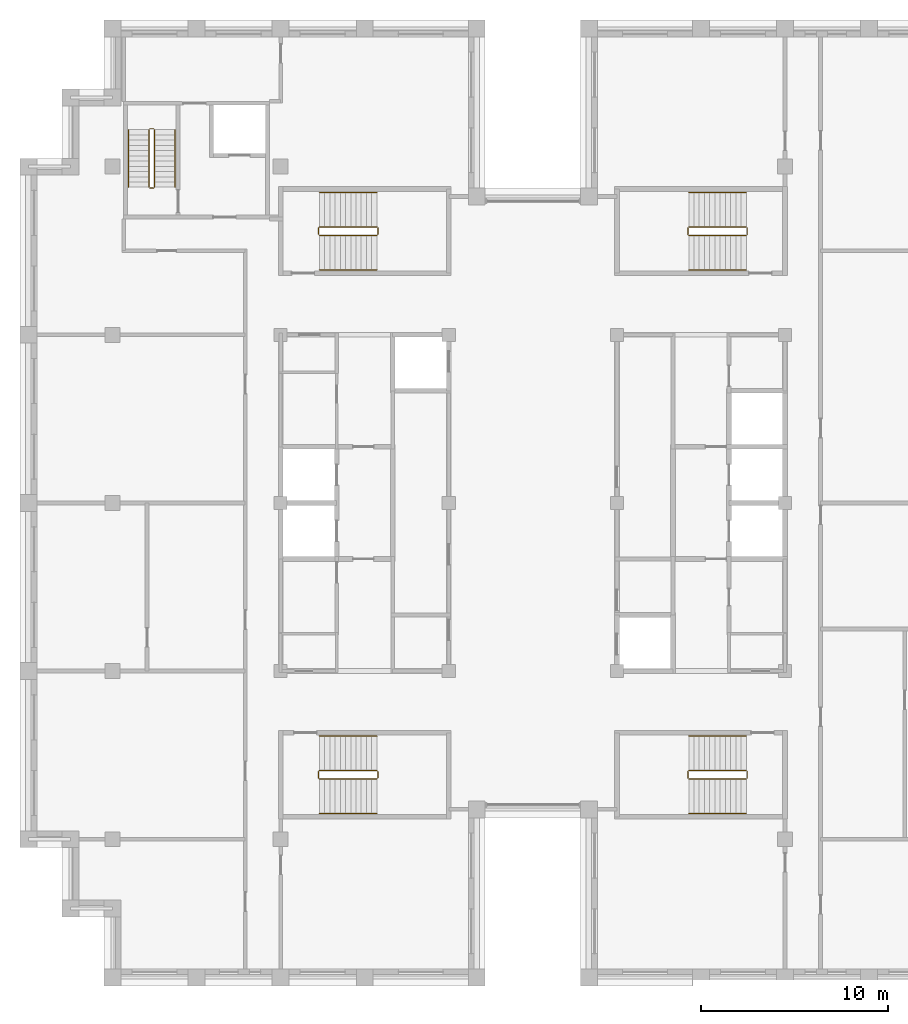
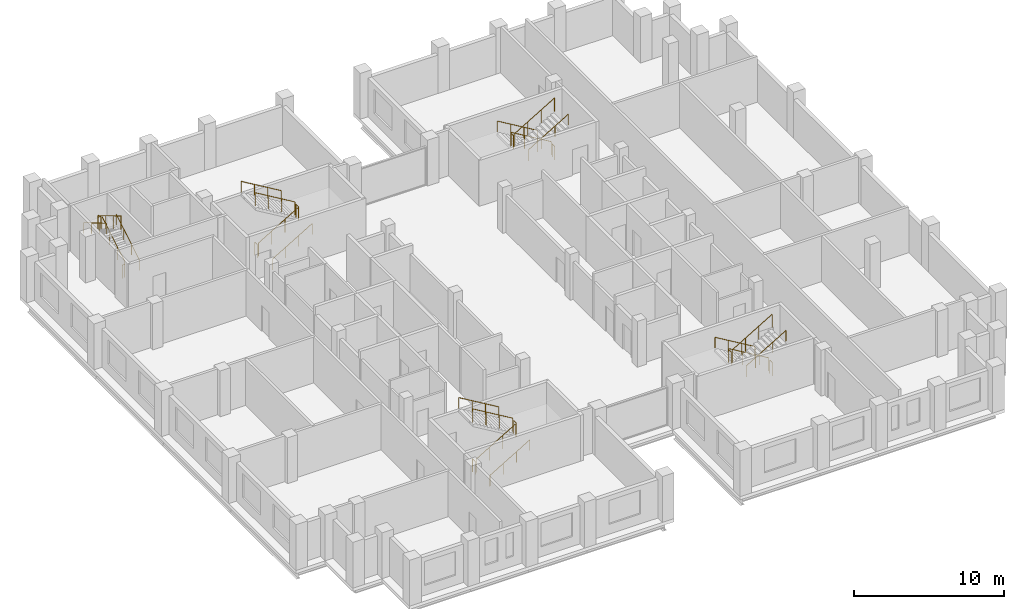
# One storey, part 13 of 13: 5 railings.
"""IFC4 building model written with IfcOpenShell, lengths in metres."""

from ifc_helpers import new_model, si_unit, direction, frame, origin, origin_2d, place, context, subcontext, project, spatial, circle, extrude, material, type_object, element, save


model = new_model("IFC4")

# Units and contexts
model_context = context("Model", 3, precision=1e-05, world=origin(), true_north=direction((0.0, 1.0)))
body_context = subcontext(model_context, "Body", "Model", "MODEL_VIEW")
ifc_project = project(units=[si_unit("LENGTHUNIT", "METRE"), si_unit("AREAUNIT", "SQUARE_METRE"), si_unit("VOLUMEUNIT", "CUBIC_METRE"), si_unit("PLANEANGLEUNIT", "RADIAN"), si_unit("MASSUNIT", "GRAM", prefix="KILO")], contexts=[model_context])

# Site, building, storey
site_placement = place(None, origin())
site = spatial("IfcSite", under=ifc_project, at=site_placement, CompositionType="ELEMENT")
building_placement = place(site_placement, origin())
building = spatial("IfcBuilding", under=site, at=building_placement, Name="Corbelhall Arena Tower", CompositionType="ELEMENT")
storey_placement = place(building_placement, frame((0.0, 0.0, 330.0)))
storey = spatial("IfcBuildingStorey", under=building, at=storey_placement, Name="L72", CompositionType="ELEMENT", Elevation=330.0)

# Railings
ifc_material = material(Name="Steel ASTM A500 Gr C", Category="steel")
railing_type = type_object("IfcRailingType", Name="IN-GD-1100", PredefinedType="GUARDRAIL", material=ifc_material)
railing_1_placement = place(storey_placement, frame((-11.425048828125, 14.324951171875, 0.166748046875)))
element("IfcRailing", 1, at=railing_1_placement, inside=storey, type_object=railing_type, Name="L72 ST1 stair guards and handrails", PredefinedType="GUARDRAIL", context=body_context, shape_type="SweptSolid", body=[
    extrude(circle(Radius=0.02392578125, at=origin_2d()), frame((0.0, 0.0, 1.076171875), z_axis=(0.859308565015, 0.0, 0.511457515432), x_axis=(0.0, 1.0, 0.0)), (0.0, 0.0, 1.0), 3.58447265625),
    extrude(circle(Radius=0.02392578125, at=origin_2d()), frame((3.130126953125, 0.050048828125, 2.9091796875), z_axis=(0.0, 1.0, 0.0), x_axis=(-1.0, 0.0, 0.0)), (0.0, 0.0, 1.0), 0.35009765625),
    extrude(circle(Radius=0.02392578125, at=origin_2d()), frame((3.080078125, 0.449951171875, 3.076171875), z_axis=(-0.859308565015, 0.0, 0.511457515432), x_axis=(0.0, -1.0, 0.0)), (0.0, 0.0, 1.0), 3.58447265625),
    extrude(circle(Radius=0.02392578125, at=origin_2d()), frame((-0.050048828125, 0.050048828125, 0.9091796875), z_axis=(0.0, 1.0, 0.0), x_axis=(-1.0, 0.0, 0.0)), (0.0, 0.0, 1.0), 0.35009765625),
    extrude(circle(Radius=0.02392578125, at=origin_2d()), frame((0.0, -1.849853515625, 0.8759765625), z_axis=(0.859308565015, 0.0, 0.511457515432), x_axis=(0.0, 1.0, 0.0)), (0.0, 0.0, 1.0), 3.58447265625),
    extrude(circle(Radius=0.02392578125, at=origin_2d()), frame((3.080078125, 2.300048828125, 2.8759765625), z_axis=(-0.859308565015, 0.0, 0.511457515432), x_axis=(0.0, -1.0, 0.0)), (0.0, 0.0, 1.0), 3.58447265625),
    extrude(circle(Radius=0.02099609375, at=origin_2d()), origin(), (0.0, 0.0, 1.0), 1.052001953125),
    extrude(circle(Radius=0.02099609375, at=origin_2d()), frame((1.026611328125, 0.0, 0.611083984375)), (0.0, 0.0, 1.0), 1.052001953125),
    extrude(circle(Radius=0.02099609375, at=origin_2d()), frame((2.053466796875, 0.0, 1.22216796875)), (0.0, 0.0, 1.0), 1.052001953125),
    extrude(circle(Radius=0.02099609375, at=origin_2d()), frame((3.080078125, 0.0, 1.833251953125)), (0.0, 0.0, 1.0), 1.052001953125),
    extrude(circle(Radius=0.02099609375, at=origin_2d()), frame((3.130126953125, 0.050048828125, 1.833251953125)), (0.0, 0.0, 1.0), 1.052001953125),
    extrude(circle(Radius=0.02099609375, at=origin_2d()), frame((3.130126953125, 0.400146484375, 1.833251953125)), (0.0, 0.0, 1.0), 1.052001953125),
    extrude(circle(Radius=0.02099609375, at=origin_2d()), frame((3.080078125, 0.449951171875, 2.0)), (0.0, 0.0, 1.0), 1.052001953125),
    extrude(circle(Radius=0.02099609375, at=origin_2d()), frame((2.053466796875, 0.449951171875, 2.611083984375)), (0.0, 0.0, 1.0), 1.052001953125),
    extrude(circle(Radius=0.02099609375, at=origin_2d()), frame((1.026611328125, 0.449951171875, 3.22216796875)), (0.0, 0.0, 1.0), 1.052001953125),
    extrude(circle(Radius=0.02099609375, at=origin_2d()), frame((0.0, 0.449951171875, 3.833251953125)), (0.0, 0.0, 1.0), 1.052001953125),
    extrude(circle(Radius=0.02099609375, at=origin_2d()), frame((-0.050048828125, 0.050048828125, -0.166748046875)), (0.0, 0.0, 1.0), 1.052001953125),
    extrude(circle(Radius=0.02099609375, at=origin_2d()), frame((-0.050048828125, 0.400146484375, -0.166748046875)), (0.0, 0.0, 1.0), 1.052001953125),
    extrude(circle(Radius=0.02099609375, at=origin_2d()), frame((0.0, -1.849853515625, 0.0)), (0.0, 0.0, 1.0), 0.851806640625),
    extrude(circle(Radius=0.02099609375, at=origin_2d()), frame((1.026611328125, -1.849853515625, 0.611083984375)), (0.0, 0.0, 1.0), 0.851806640625),
    extrude(circle(Radius=0.02099609375, at=origin_2d()), frame((2.053466796875, -1.849853515625, 1.22216796875)), (0.0, 0.0, 1.0), 0.851806640625),
    extrude(circle(Radius=0.02099609375, at=origin_2d()), frame((3.080078125, -1.849853515625, 1.833251953125)), (0.0, 0.0, 1.0), 0.851806640625),
    extrude(circle(Radius=0.02099609375, at=origin_2d()), frame((3.080078125, 2.300048828125, 2.0)), (0.0, 0.0, 1.0), 0.851806640625),
    extrude(circle(Radius=0.02099609375, at=origin_2d()), frame((2.053466796875, 2.300048828125, 2.611083984375)), (0.0, 0.0, 1.0), 0.851806640625),
    extrude(circle(Radius=0.02099609375, at=origin_2d()), frame((1.026611328125, 2.300048828125, 3.22216796875)), (0.0, 0.0, 1.0), 0.851806640625),
    extrude(circle(Radius=0.02099609375, at=origin_2d()), frame((0.0, 2.300048828125, 3.833251953125)), (0.0, 0.0, 1.0), 0.851806640625),
])
railing_2_placement = place(storey_placement, frame((-11.425048828125, -14.77490234375, 0.166748046875)))
element("IfcRailing", 2, at=railing_2_placement, inside=storey, type_object=railing_type, Name="L72 ST2 stair guards and handrails", PredefinedType="GUARDRAIL", context=body_context, shape_type="SweptSolid", body=[
    extrude(circle(Radius=0.02392578125, at=origin_2d()), frame((0.0, 0.0, 1.076171875), z_axis=(0.859308565015, 0.0, 0.511457515432), x_axis=(0.0, 1.0, 0.0)), (0.0, 0.0, 1.0), 3.58447265625),
    extrude(circle(Radius=0.02392578125, at=origin_2d()), frame((3.130126953125, 0.0498046875, 2.9091796875), z_axis=(0.0, 1.0, 0.0), x_axis=(-1.0, 0.0, 0.0)), (0.0, 0.0, 1.0), 0.35009765625),
    extrude(circle(Radius=0.02392578125, at=origin_2d()), frame((3.080078125, 0.449951171875, 3.076171875), z_axis=(-0.859308565015, 0.0, 0.511457515432), x_axis=(0.0, -1.0, 0.0)), (0.0, 0.0, 1.0), 3.58447265625),
    extrude(circle(Radius=0.02392578125, at=origin_2d()), frame((-0.050048828125, 0.0498046875, 0.9091796875), z_axis=(0.0, 1.0, 0.0), x_axis=(-1.0, 0.0, 0.0)), (0.0, 0.0, 1.0), 0.35009765625),
    extrude(circle(Radius=0.02392578125, at=origin_2d()), frame((0.0, -1.85009765625, 0.8759765625), z_axis=(0.859308565015, 0.0, 0.511457515432), x_axis=(0.0, 1.0, 0.0)), (0.0, 0.0, 1.0), 3.58447265625),
    extrude(circle(Radius=0.02392578125, at=origin_2d()), frame((3.080078125, 2.2998046875, 2.8759765625), z_axis=(-0.859308565015, 0.0, 0.511457515432), x_axis=(0.0, -1.0, 0.0)), (0.0, 0.0, 1.0), 3.58447265625),
    extrude(circle(Radius=0.02099609375, at=origin_2d()), origin(), (0.0, 0.0, 1.0), 1.052001953125),
    extrude(circle(Radius=0.02099609375, at=origin_2d()), frame((1.026611328125, 0.0, 0.611083984375)), (0.0, 0.0, 1.0), 1.052001953125),
    extrude(circle(Radius=0.02099609375, at=origin_2d()), frame((2.053466796875, 0.0, 1.22216796875)), (0.0, 0.0, 1.0), 1.052001953125),
    extrude(circle(Radius=0.02099609375, at=origin_2d()), frame((3.080078125, 0.0, 1.833251953125)), (0.0, 0.0, 1.0), 1.052001953125),
    extrude(circle(Radius=0.02099609375, at=origin_2d()), frame((3.130126953125, 0.0498046875, 1.833251953125)), (0.0, 0.0, 1.0), 1.052001953125),
    extrude(circle(Radius=0.02099609375, at=origin_2d()), frame((3.130126953125, 0.39990234375, 1.833251953125)), (0.0, 0.0, 1.0), 1.052001953125),
    extrude(circle(Radius=0.02099609375, at=origin_2d()), frame((3.080078125, 0.449951171875, 2.0)), (0.0, 0.0, 1.0), 1.052001953125),
    extrude(circle(Radius=0.02099609375, at=origin_2d()), frame((2.053466796875, 0.449951171875, 2.611083984375)), (0.0, 0.0, 1.0), 1.052001953125),
    extrude(circle(Radius=0.02099609375, at=origin_2d()), frame((1.026611328125, 0.449951171875, 3.22216796875)), (0.0, 0.0, 1.0), 1.052001953125),
    extrude(circle(Radius=0.02099609375, at=origin_2d()), frame((0.0, 0.449951171875, 3.833251953125)), (0.0, 0.0, 1.0), 1.052001953125),
    extrude(circle(Radius=0.02099609375, at=origin_2d()), frame((-0.050048828125, 0.0498046875, -0.166748046875)), (0.0, 0.0, 1.0), 1.052001953125),
    extrude(circle(Radius=0.02099609375, at=origin_2d()), frame((-0.050048828125, 0.39990234375, -0.166748046875)), (0.0, 0.0, 1.0), 1.052001953125),
    extrude(circle(Radius=0.02099609375, at=origin_2d()), frame((0.0, -1.85009765625, 0.0)), (0.0, 0.0, 1.0), 0.851806640625),
    extrude(circle(Radius=0.02099609375, at=origin_2d()), frame((1.026611328125, -1.85009765625, 0.611083984375)), (0.0, 0.0, 1.0), 0.851806640625),
    extrude(circle(Radius=0.02099609375, at=origin_2d()), frame((2.053466796875, -1.85009765625, 1.22216796875)), (0.0, 0.0, 1.0), 0.851806640625),
    extrude(circle(Radius=0.02099609375, at=origin_2d()), frame((3.080078125, -1.85009765625, 1.833251953125)), (0.0, 0.0, 1.0), 0.851806640625),
    extrude(circle(Radius=0.02099609375, at=origin_2d()), frame((3.080078125, 2.2998046875, 2.0)), (0.0, 0.0, 1.0), 0.851806640625),
    extrude(circle(Radius=0.02099609375, at=origin_2d()), frame((2.053466796875, 2.2998046875, 2.611083984375)), (0.0, 0.0, 1.0), 0.851806640625),
    extrude(circle(Radius=0.02099609375, at=origin_2d()), frame((1.026611328125, 2.2998046875, 3.22216796875)), (0.0, 0.0, 1.0), 0.851806640625),
    extrude(circle(Radius=0.02099609375, at=origin_2d()), frame((0.0, 2.2998046875, 3.833251953125)), (0.0, 0.0, 1.0), 0.851806640625),
])
railing_3_placement = place(storey_placement, frame((11.425048828125, 14.77490234375, 0.166748046875)))
element("IfcRailing", 3, at=railing_3_placement, inside=storey, type_object=railing_type, Name="L72 ST3 stair guards and handrails", PredefinedType="GUARDRAIL", context=body_context, shape_type="SweptSolid", body=[
    extrude(circle(Radius=0.02392578125, at=origin_2d()), frame((0.0, 0.0, 1.076171875), z_axis=(-0.859308565015, 0.0, 0.511457515432), x_axis=(0.0, -1.0, 0.0)), (0.0, 0.0, 1.0), 3.58447265625),
    extrude(circle(Radius=0.02392578125, at=origin_2d()), frame((-3.130126953125, -0.0498046875, 2.9091796875), z_axis=(0.0, -1.0, 0.0), x_axis=(1.0, 0.0, 0.0)), (0.0, 0.0, 1.0), 0.35009765625),
    extrude(circle(Radius=0.02392578125, at=origin_2d()), frame((-3.080078125, -0.449951171875, 3.076171875), z_axis=(0.859308565015, 0.0, 0.511457515432), x_axis=(0.0, 1.0, 0.0)), (0.0, 0.0, 1.0), 3.58447265625),
    extrude(circle(Radius=0.02392578125, at=origin_2d()), frame((0.050048828125, -0.0498046875, 0.9091796875), z_axis=(0.0, -1.0, 0.0), x_axis=(1.0, 0.0, 0.0)), (0.0, 0.0, 1.0), 0.35009765625),
    extrude(circle(Radius=0.02392578125, at=origin_2d()), frame((0.0, 1.85009765625, 0.8759765625), z_axis=(-0.859308565015, 0.0, 0.511457515432), x_axis=(0.0, -1.0, 0.0)), (0.0, 0.0, 1.0), 3.58447265625),
    extrude(circle(Radius=0.02392578125, at=origin_2d()), frame((-3.080078125, -2.2998046875, 2.8759765625), z_axis=(0.859308565015, 0.0, 0.511457515432), x_axis=(0.0, 1.0, 0.0)), (0.0, 0.0, 1.0), 3.58447265625),
    extrude(circle(Radius=0.02099609375, at=origin_2d()), origin(), (0.0, 0.0, 1.0), 1.052001953125),
    extrude(circle(Radius=0.02099609375, at=origin_2d()), frame((-1.026611328125, 0.0, 0.611083984375)), (0.0, 0.0, 1.0), 1.052001953125),
    extrude(circle(Radius=0.02099609375, at=origin_2d()), frame((-2.053466796875, 0.0, 1.22216796875)), (0.0, 0.0, 1.0), 1.052001953125),
    extrude(circle(Radius=0.02099609375, at=origin_2d()), frame((-3.080078125, 0.0, 1.833251953125)), (0.0, 0.0, 1.0), 1.052001953125),
    extrude(circle(Radius=0.02099609375, at=origin_2d()), frame((-3.130126953125, -0.0498046875, 1.833251953125)), (0.0, 0.0, 1.0), 1.052001953125),
    extrude(circle(Radius=0.02099609375, at=origin_2d()), frame((-3.130126953125, -0.39990234375, 1.833251953125)), (0.0, 0.0, 1.0), 1.052001953125),
    extrude(circle(Radius=0.02099609375, at=origin_2d()), frame((-3.080078125, -0.449951171875, 2.0)), (0.0, 0.0, 1.0), 1.052001953125),
    extrude(circle(Radius=0.02099609375, at=origin_2d()), frame((-2.053466796875, -0.449951171875, 2.611083984375)), (0.0, 0.0, 1.0), 1.052001953125),
    extrude(circle(Radius=0.02099609375, at=origin_2d()), frame((-1.026611328125, -0.449951171875, 3.22216796875)), (0.0, 0.0, 1.0), 1.052001953125),
    extrude(circle(Radius=0.02099609375, at=origin_2d()), frame((0.0, -0.449951171875, 3.833251953125)), (0.0, 0.0, 1.0), 1.052001953125),
    extrude(circle(Radius=0.02099609375, at=origin_2d()), frame((0.050048828125, -0.0498046875, -0.166748046875)), (0.0, 0.0, 1.0), 1.052001953125),
    extrude(circle(Radius=0.02099609375, at=origin_2d()), frame((0.050048828125, -0.39990234375, -0.166748046875)), (0.0, 0.0, 1.0), 1.052001953125),
    extrude(circle(Radius=0.02099609375, at=origin_2d()), frame((0.0, 1.85009765625, 0.0)), (0.0, 0.0, 1.0), 0.851806640625),
    extrude(circle(Radius=0.02099609375, at=origin_2d()), frame((-1.026611328125, 1.85009765625, 0.611083984375)), (0.0, 0.0, 1.0), 0.851806640625),
    extrude(circle(Radius=0.02099609375, at=origin_2d()), frame((-2.053466796875, 1.85009765625, 1.22216796875)), (0.0, 0.0, 1.0), 0.851806640625),
    extrude(circle(Radius=0.02099609375, at=origin_2d()), frame((-3.080078125, 1.85009765625, 1.833251953125)), (0.0, 0.0, 1.0), 0.851806640625),
    extrude(circle(Radius=0.02099609375, at=origin_2d()), frame((-3.080078125, -2.2998046875, 2.0)), (0.0, 0.0, 1.0), 0.851806640625),
    extrude(circle(Radius=0.02099609375, at=origin_2d()), frame((-2.053466796875, -2.2998046875, 2.611083984375)), (0.0, 0.0, 1.0), 0.851806640625),
    extrude(circle(Radius=0.02099609375, at=origin_2d()), frame((-1.026611328125, -2.2998046875, 3.22216796875)), (0.0, 0.0, 1.0), 0.851806640625),
    extrude(circle(Radius=0.02099609375, at=origin_2d()), frame((0.0, -2.2998046875, 3.833251953125)), (0.0, 0.0, 1.0), 0.851806640625),
])
railing_4_placement = place(storey_placement, frame((11.425048828125, -14.324951171875, 0.166748046875)))
element("IfcRailing", 4, at=railing_4_placement, inside=storey, type_object=railing_type, Name="L72 ST4 stair guards and handrails", PredefinedType="GUARDRAIL", context=body_context, shape_type="SweptSolid", body=[
    extrude(circle(Radius=0.02392578125, at=origin_2d()), frame((0.0, 0.0, 1.076171875), z_axis=(-0.859308565015, 0.0, 0.511457515432), x_axis=(0.0, -1.0, 0.0)), (0.0, 0.0, 1.0), 3.58447265625),
    extrude(circle(Radius=0.02392578125, at=origin_2d()), frame((-3.130126953125, -0.050048828125, 2.9091796875), z_axis=(0.0, -1.0, 0.0), x_axis=(1.0, 0.0, 0.0)), (0.0, 0.0, 1.0), 0.35009765625),
    extrude(circle(Radius=0.02392578125, at=origin_2d()), frame((-3.080078125, -0.449951171875, 3.076171875), z_axis=(0.859308565015, 0.0, 0.511457515432), x_axis=(0.0, 1.0, 0.0)), (0.0, 0.0, 1.0), 3.58447265625),
    extrude(circle(Radius=0.02392578125, at=origin_2d()), frame((0.050048828125, -0.050048828125, 0.9091796875), z_axis=(0.0, -1.0, 0.0), x_axis=(1.0, 0.0, 0.0)), (0.0, 0.0, 1.0), 0.35009765625),
    extrude(circle(Radius=0.02392578125, at=origin_2d()), frame((0.0, 1.849853515625, 0.8759765625), z_axis=(-0.859308565015, 0.0, 0.511457515432), x_axis=(0.0, -1.0, 0.0)), (0.0, 0.0, 1.0), 3.58447265625),
    extrude(circle(Radius=0.02392578125, at=origin_2d()), frame((-3.080078125, -2.300048828125, 2.8759765625), z_axis=(0.859308565015, 0.0, 0.511457515432), x_axis=(0.0, 1.0, 0.0)), (0.0, 0.0, 1.0), 3.58447265625),
    extrude(circle(Radius=0.02099609375, at=origin_2d()), origin(), (0.0, 0.0, 1.0), 1.052001953125),
    extrude(circle(Radius=0.02099609375, at=origin_2d()), frame((-1.026611328125, 0.0, 0.611083984375)), (0.0, 0.0, 1.0), 1.052001953125),
    extrude(circle(Radius=0.02099609375, at=origin_2d()), frame((-2.053466796875, 0.0, 1.22216796875)), (0.0, 0.0, 1.0), 1.052001953125),
    extrude(circle(Radius=0.02099609375, at=origin_2d()), frame((-3.080078125, 0.0, 1.833251953125)), (0.0, 0.0, 1.0), 1.052001953125),
    extrude(circle(Radius=0.02099609375, at=origin_2d()), frame((-3.130126953125, -0.050048828125, 1.833251953125)), (0.0, 0.0, 1.0), 1.052001953125),
    extrude(circle(Radius=0.02099609375, at=origin_2d()), frame((-3.130126953125, -0.400146484375, 1.833251953125)), (0.0, 0.0, 1.0), 1.052001953125),
    extrude(circle(Radius=0.02099609375, at=origin_2d()), frame((-3.080078125, -0.449951171875, 2.0)), (0.0, 0.0, 1.0), 1.052001953125),
    extrude(circle(Radius=0.02099609375, at=origin_2d()), frame((-2.053466796875, -0.449951171875, 2.611083984375)), (0.0, 0.0, 1.0), 1.052001953125),
    extrude(circle(Radius=0.02099609375, at=origin_2d()), frame((-1.026611328125, -0.449951171875, 3.22216796875)), (0.0, 0.0, 1.0), 1.052001953125),
    extrude(circle(Radius=0.02099609375, at=origin_2d()), frame((0.0, -0.449951171875, 3.833251953125)), (0.0, 0.0, 1.0), 1.052001953125),
    extrude(circle(Radius=0.02099609375, at=origin_2d()), frame((0.050048828125, -0.050048828125, -0.166748046875)), (0.0, 0.0, 1.0), 1.052001953125),
    extrude(circle(Radius=0.02099609375, at=origin_2d()), frame((0.050048828125, -0.400146484375, -0.166748046875)), (0.0, 0.0, 1.0), 1.052001953125),
    extrude(circle(Radius=0.02099609375, at=origin_2d()), frame((0.0, 1.849853515625, 0.0)), (0.0, 0.0, 1.0), 0.851806640625),
    extrude(circle(Radius=0.02099609375, at=origin_2d()), frame((-1.026611328125, 1.849853515625, 0.611083984375)), (0.0, 0.0, 1.0), 0.851806640625),
    extrude(circle(Radius=0.02099609375, at=origin_2d()), frame((-2.053466796875, 1.849853515625, 1.22216796875)), (0.0, 0.0, 1.0), 0.851806640625),
    extrude(circle(Radius=0.02099609375, at=origin_2d()), frame((-3.080078125, 1.849853515625, 1.833251953125)), (0.0, 0.0, 1.0), 0.851806640625),
    extrude(circle(Radius=0.02099609375, at=origin_2d()), frame((-3.080078125, -2.300048828125, 2.0)), (0.0, 0.0, 1.0), 0.851806640625),
    extrude(circle(Radius=0.02099609375, at=origin_2d()), frame((-2.053466796875, -2.300048828125, 2.611083984375)), (0.0, 0.0, 1.0), 0.851806640625),
    extrude(circle(Radius=0.02099609375, at=origin_2d()), frame((-1.026611328125, -2.300048828125, 3.22216796875)), (0.0, 0.0, 1.0), 0.851806640625),
    extrude(circle(Radius=0.02099609375, at=origin_2d()), frame((0.0, -2.300048828125, 3.833251953125)), (0.0, 0.0, 1.0), 0.851806640625),
])
railing_5_placement = place(storey_placement, frame((-20.2451171875, 16.89990234375, 0.166748046875)))
element("IfcRailing", 5, at=railing_5_placement, inside=storey, type_object=railing_type, Name="L72 ST5 stair guards and handrails", PredefinedType="GUARDRAIL", context=body_context, shape_type="SweptSolid", body=[
    extrude(circle(Radius=0.02392578125, at=origin_2d()), frame((0.0, 0.0, 1.076171875), z_axis=(0.0, 0.859308565015, 0.511457515432), x_axis=(-1.0, 0.0, 0.0)), (0.0, 0.0, 1.0), 3.58447265625),
    extrude(circle(Radius=0.02392578125, at=origin_2d()), frame((-0.0498046875, 3.130126953125, 2.9091796875), z_axis=(-1.0, 0.0, 0.0), x_axis=(0.0, -1.0, 0.0)), (0.0, 0.0, 1.0), 0.2001953125),
    extrude(circle(Radius=0.02392578125, at=origin_2d()), frame((-0.2998046875, 3.080078125, 3.076171875), z_axis=(0.0, -0.859308565015, 0.511457515432), x_axis=(1.0, 0.0, 0.0)), (0.0, 0.0, 1.0), 3.58447265625),
    extrude(circle(Radius=0.02392578125, at=origin_2d()), frame((-0.0498046875, -0.0498046875, 0.9091796875), z_axis=(-1.0, 0.0, 0.0), x_axis=(0.0, -1.0, 0.0)), (0.0, 0.0, 1.0), 0.2001953125),
    extrude(circle(Radius=0.02392578125, at=origin_2d()), frame((1.10009765625, 0.0, 0.8759765625), z_axis=(0.0, 0.859308565015, 0.511457515432), x_axis=(-1.0, 0.0, 0.0)), (0.0, 0.0, 1.0), 3.58447265625),
    extrude(circle(Radius=0.02392578125, at=origin_2d()), frame((-1.39990234375, 3.080078125, 2.8759765625), z_axis=(0.0, -0.859308565015, 0.511457515432), x_axis=(1.0, 0.0, 0.0)), (0.0, 0.0, 1.0), 3.58447265625),
    extrude(circle(Radius=0.02099609375, at=origin_2d()), origin(), (0.0, 0.0, 1.0), 1.052001953125),
    extrude(circle(Radius=0.02099609375, at=origin_2d()), frame((0.0, 1.026611328125, 0.611083984375)), (0.0, 0.0, 1.0), 1.052001953125),
    extrude(circle(Radius=0.02099609375, at=origin_2d()), frame((0.0, 2.053466796875, 1.22216796875)), (0.0, 0.0, 1.0), 1.052001953125),
    extrude(circle(Radius=0.02099609375, at=origin_2d()), frame((0.0, 3.080078125, 1.833251953125)), (0.0, 0.0, 1.0), 1.052001953125),
    extrude(circle(Radius=0.02099609375, at=origin_2d()), frame((-0.0498046875, 3.130126953125, 1.833251953125)), (0.0, 0.0, 1.0), 1.052001953125),
    extrude(circle(Radius=0.02099609375, at=origin_2d()), frame((-0.25, 3.130126953125, 1.833251953125)), (0.0, 0.0, 1.0), 1.052001953125),
    extrude(circle(Radius=0.02099609375, at=origin_2d()), frame((-0.2998046875, 3.080078125, 2.0)), (0.0, 0.0, 1.0), 1.052001953125),
    extrude(circle(Radius=0.02099609375, at=origin_2d()), frame((-0.2998046875, 2.053466796875, 2.611083984375)), (0.0, 0.0, 1.0), 1.052001953125),
    extrude(circle(Radius=0.02099609375, at=origin_2d()), frame((-0.2998046875, 1.026611328125, 3.22216796875)), (0.0, 0.0, 1.0), 1.052001953125),
    extrude(circle(Radius=0.02099609375, at=origin_2d()), frame((-0.2998046875, 0.0, 3.833251953125)), (0.0, 0.0, 1.0), 1.052001953125),
    extrude(circle(Radius=0.02099609375, at=origin_2d()), frame((-0.0498046875, -0.0498046875, -0.166748046875)), (0.0, 0.0, 1.0), 1.052001953125),
    extrude(circle(Radius=0.02099609375, at=origin_2d()), frame((-0.25, -0.0498046875, -0.166748046875)), (0.0, 0.0, 1.0), 1.052001953125),
    extrude(circle(Radius=0.02099609375, at=origin_2d()), frame((1.10009765625, 0.0, 0.0)), (0.0, 0.0, 1.0), 0.851806640625),
    extrude(circle(Radius=0.02099609375, at=origin_2d()), frame((1.10009765625, 1.026611328125, 0.611083984375)), (0.0, 0.0, 1.0), 0.851806640625),
    extrude(circle(Radius=0.02099609375, at=origin_2d()), frame((1.10009765625, 2.053466796875, 1.22216796875)), (0.0, 0.0, 1.0), 0.851806640625),
    extrude(circle(Radius=0.02099609375, at=origin_2d()), frame((1.10009765625, 3.080078125, 1.833251953125)), (0.0, 0.0, 1.0), 0.851806640625),
    extrude(circle(Radius=0.02099609375, at=origin_2d()), frame((-1.39990234375, 3.080078125, 2.0)), (0.0, 0.0, 1.0), 0.851806640625),
    extrude(circle(Radius=0.02099609375, at=origin_2d()), frame((-1.39990234375, 2.053466796875, 2.611083984375)), (0.0, 0.0, 1.0), 0.851806640625),
    extrude(circle(Radius=0.02099609375, at=origin_2d()), frame((-1.39990234375, 1.026611328125, 3.22216796875)), (0.0, 0.0, 1.0), 0.851806640625),
    extrude(circle(Radius=0.02099609375, at=origin_2d()), frame((-1.39990234375, 0.0, 3.833251953125)), (0.0, 0.0, 1.0), 0.851806640625),
])

save(model, "model.ifc")
